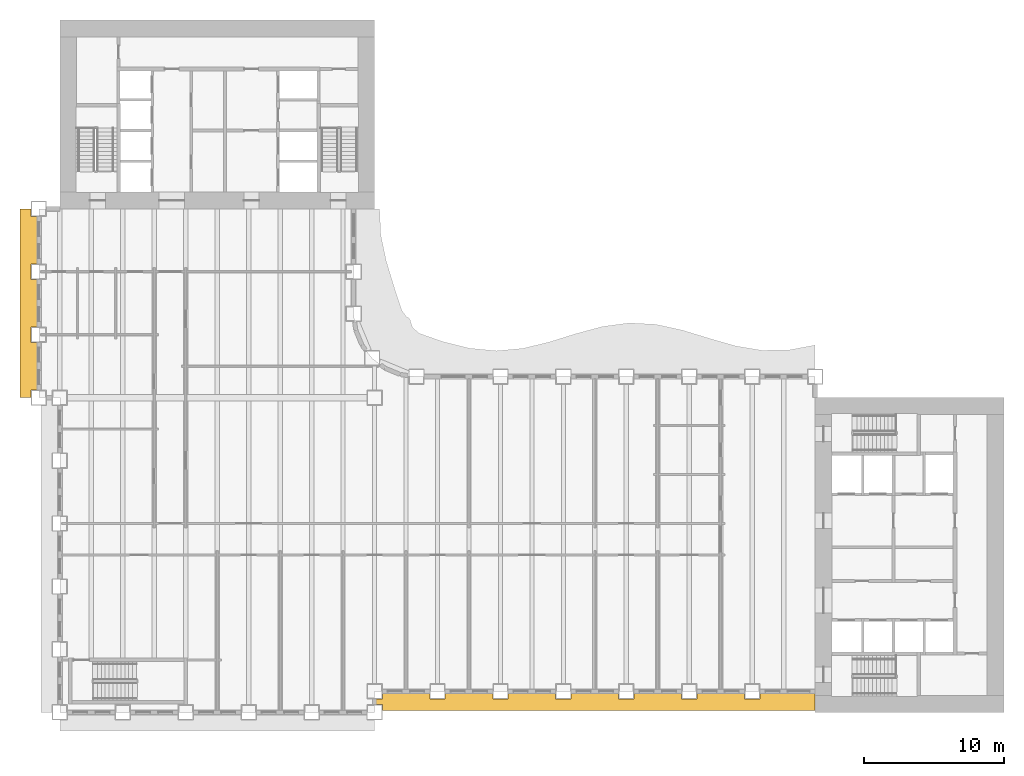
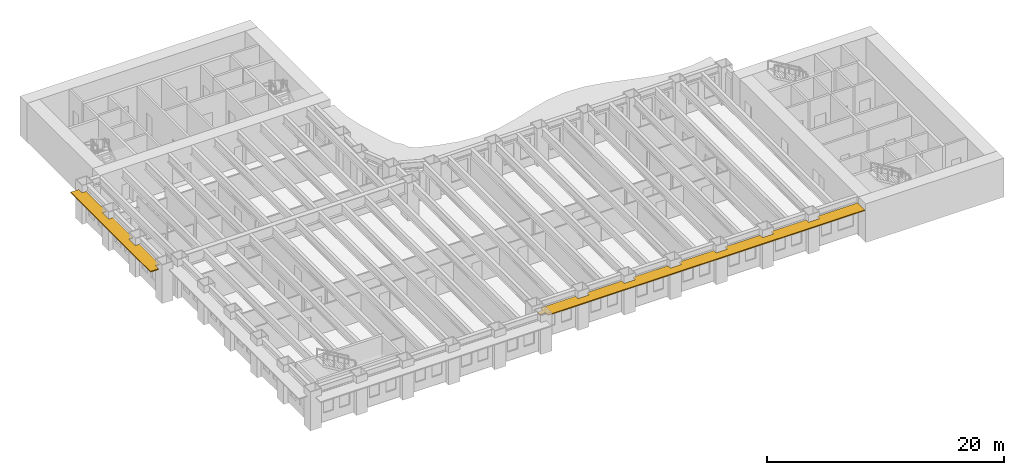
# One storey, part 11 of 15: 2 shading devices.
"""IFC4 building model written with IfcOpenShell, lengths in metres."""

from ifc_helpers import new_model, si_unit, direction, frame, origin, place, context, subcontext, project, spatial, polyline, outline, extrude, material, layer, layer_set, type_object, element, save


model = new_model("IFC4")

# Units and contexts
model_context = context("Model", 3, precision=1e-05, world=origin(), true_north=direction((0.0, 1.0)))
body_context = subcontext(model_context, "Body", "Model", "MODEL_VIEW")
ifc_project = project(units=[si_unit("LENGTHUNIT", "METRE"), si_unit("AREAUNIT", "SQUARE_METRE"), si_unit("VOLUMEUNIT", "CUBIC_METRE"), si_unit("PLANEANGLEUNIT", "RADIAN"), si_unit("MASSUNIT", "GRAM", prefix="KILO")], contexts=[model_context])

# Site, building, storey
site_placement = place(None, origin())
site = spatial("IfcSite", under=ifc_project, at=site_placement, CompositionType="ELEMENT")
building_placement = place(site_placement, origin())
building = spatial("IfcBuilding", under=site, at=building_placement, Name="Sennacour Bend Tower", CompositionType="ELEMENT")
storey_placement = place(building_placement, frame((0.0, 0.0, 41.0)))
storey = spatial("IfcBuildingStorey", under=building, at=storey_placement, Name="L08", CompositionType="ELEMENT", Elevation=41.0)

# Shading devices
ifc_material = material(Name="Bronze anodised aluminium", Category="aluminium")
ifc_layer = layer(ifc_material, 0.10009765625, Name="Bronze anodised aluminium", Category="aluminium")
ifc_layer_set = layer_set([ifc_layer], Name="Bronze anodised aluminium")
shading_device_type = type_object("IfcShadingDeviceType", Name="SUNSHADE BAND STRAIGHT", PredefinedType="USERDEFINED", material=ifc_layer_set)
shading_device_1_placement = place(storey_placement, frame((0.0, 0.0, 3.0439453125)))
element("IfcShadingDevice", 1, at=shading_device_1_placement, inside=storey, type_object=shading_device_type, Name="Sunshade band L08 A outer face", ObjectType="SUNSHADE", PredefinedType="USERDEFINED", context=body_context, shape_type="SweptSolid", body=[
    extrude(outline(polyline([(26.449951171875, 1.35009765625), (26.449951171875, 0.949951171875), (27.550048828125, 0.949951171875), (27.550048828125, 1.35009765625), (30.949951171875, 1.35009765625), (30.949951171875, 0.949951171875), (32.050048828125, 0.949951171875), (32.050048828125, 1.35009765625), (35.449951171875, 1.35009765625), (35.449951171875, 0.949951171875), (36.550048828125, 0.949951171875), (36.550048828125, 1.35009765625), (39.949951171875, 1.35009765625), (39.949951171875, 0.949951171875), (41.050048828125, 0.949951171875), (41.050048828125, 1.35009765625), (44.449951171875, 1.35009765625), (44.449951171875, 0.949951171875), (45.550048828125, 0.949951171875), (45.550048828125, 1.35009765625), (48.949951171875, 1.35009765625), (48.949951171875, 0.949951171875), (50.050048828125, 0.949951171875), (50.050048828125, 1.35009765625), (54.0, 1.35009765625), (54.0, 0.14990234375), (23.050048828125, 0.14990234375), (23.050048828125, 0.550048828125), (22.5, 0.550048828125), (22.5, 0.949951171875), (23.050048828125, 0.949951171875), (23.050048828125, 1.35009765625), (26.449951171875, 1.35009765625)])), origin(), (0.0, 0.0, 1.0), 0.10009765625),
])
shading_device_2_placement = place(storey_placement, frame((0.0, 0.0, 3.0439453125)))
element("IfcShadingDevice", 2, at=shading_device_2_placement, inside=storey, type_object=shading_device_type, Name="Sunshade band L08 B outer face", ObjectType="SUNSHADE", PredefinedType="USERDEFINED", context=body_context, shape_type="SweptSolid", body=[
    extrude(outline(polyline([(-1.64990234375, 32.050048828125), (-2.050048828125, 32.050048828125), (-2.050048828125, 30.949951171875), (-1.64990234375, 30.949951171875), (-1.64990234375, 27.550048828125), (-2.050048828125, 27.550048828125), (-2.050048828125, 26.449951171875), (-1.64990234375, 26.449951171875), (-1.64990234375, 23.050048828125), (-2.050048828125, 23.050048828125), (-2.050048828125, 22.5), (-2.85009765625, 22.5), (-2.85009765625, 36.0), (-2.050048828125, 36.0), (-2.050048828125, 35.449951171875), (-1.64990234375, 35.449951171875), (-1.64990234375, 32.050048828125)])), origin(), (0.0, 0.0, 1.0), 0.10009765625),
])

save(model, "model.ifc")
